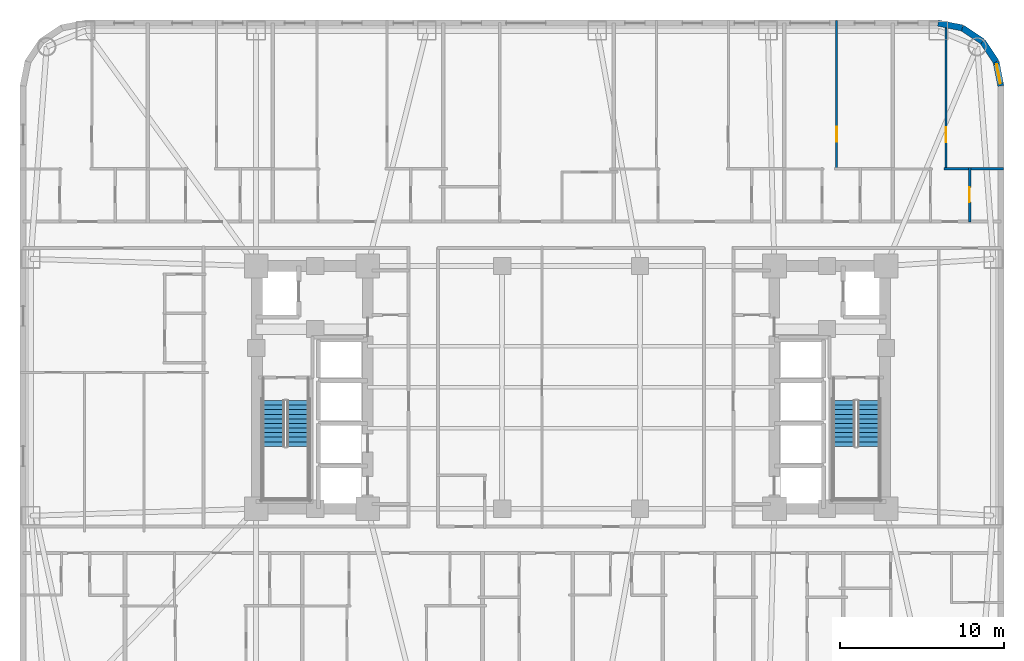
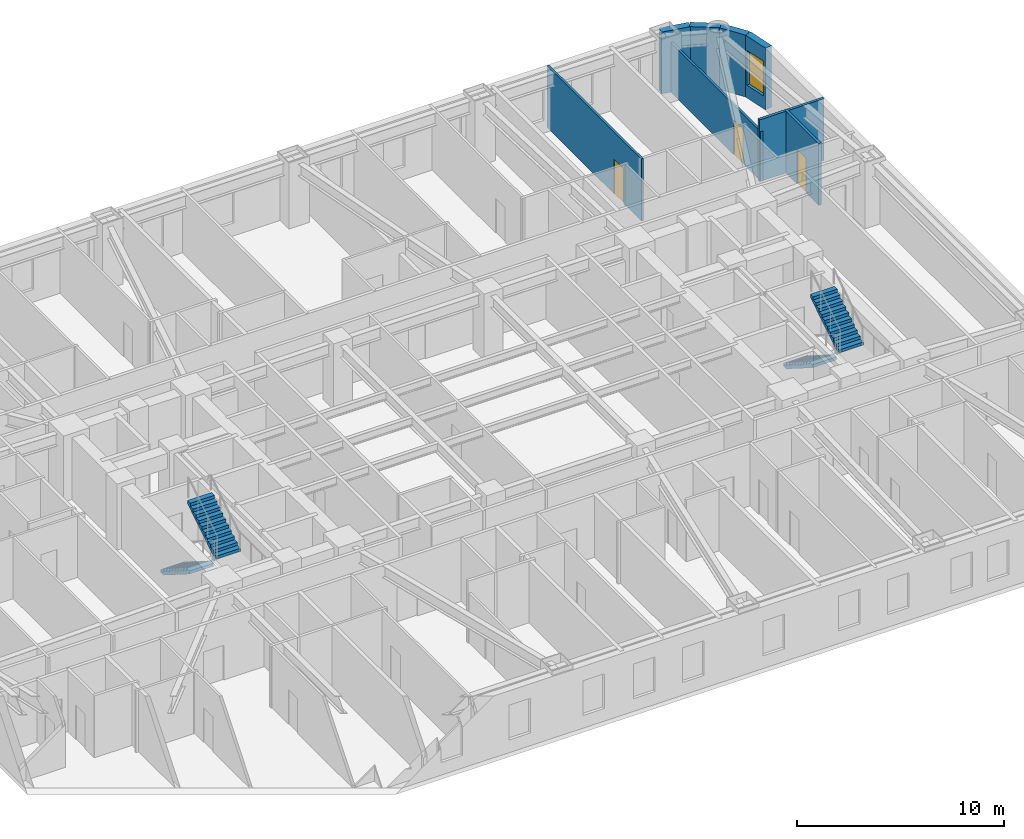
# One storey, part 9 of 11: 8 walls, 4 stair flights, 3 doors, 1 window, 4 openings, 2 elements without a shape of their own.
"""IFC4 building model written with IfcOpenShell, lengths in metres."""

from ifc_helpers import new_model, si_unit, direction, frame, frame_2d, origin, place, context, subcontext, project, spatial, polyline, rectangle, outline, extrude, material, layer, layer_set, type_object, element, fill, aggregate, save


model = new_model("IFC4")

# Units and contexts
model_context = context("Model", 3, precision=1e-05, world=origin(), true_north=direction((0.0, 1.0)))
body_context = subcontext(model_context, "Body", "Model", "MODEL_VIEW")
ifc_project = project(units=[si_unit("LENGTHUNIT", "METRE"), si_unit("AREAUNIT", "SQUARE_METRE"), si_unit("VOLUMEUNIT", "CUBIC_METRE"), si_unit("PLANEANGLEUNIT", "RADIAN"), si_unit("MASSUNIT", "GRAM", prefix="KILO")], contexts=[model_context])

# Site, building, storey
site_placement = place(None, origin())
site = spatial("IfcSite", under=ifc_project, at=site_placement, CompositionType="ELEMENT")
building_placement = place(site_placement, origin())
building = spatial("IfcBuilding", under=site, at=building_placement, Name="Voryun Gate Residences", CompositionType="ELEMENT")
storey_placement = place(building_placement, frame((0.0, 0.0, 37.699951171875)))
storey = spatial("IfcBuildingStorey", under=building, at=storey_placement, Name="L08", CompositionType="ELEMENT", Elevation=37.699951171875)

# Walls
ifc_material_1 = material(Name="Granite masonry", Category="masonry")
ifc_layer_1 = layer(ifc_material_1, 0.3798828125, Name="W_EXT_GRANITE_380")
ifc_layer_set_1 = layer_set([ifc_layer_1], Name="Granite masonry")
wall_type_1 = type_object("IfcWallType", Name="W_EXT_GRANITE_380", PredefinedType="ELEMENTEDWALL", material=ifc_layer_set_1)
wall_1_placement = place(storey_placement, frame((22.38134765625, 22.2099609375, 0.0), z_axis=(0.0, 0.0, 1.0), x_axis=(0.980786132421, -0.195086038585, 0.0)))
element("IfcWall", 1, at=wall_1_placement, inside=storey, type_object=wall_type_1, Name="Exterior wall WEXT-L08-12", PredefinedType="ELEMENTEDWALL", context=body_context, shape_type="SweptSolid", body=[
    extrude(rectangle(XDim=1.504150390625, YDim=0.3798828125, at=frame_2d((0.751953125, 0.0))), origin(), (0.0, 0.0, 1.0), 3.650146484375),
])
for number, where, z_axis, x_axis, name in (
    (2, (23.856689453125, 21.91650390625, 0.0), (0.0, 0.0, 1.0), (0.831392092774, -0.555686231674, 0.0), "Exterior wall WEXT-L08-13"),
    (3, (25.09130859375, 21.09130859375, 0.0), (0.0, 0.0, 1.0), (0.555686231674, -0.831392092774, 0.0), "Exterior wall WEXT-L08-14"),
):
    element("IfcWall", number, at=place(storey_placement, frame(where, z_axis=z_axis, x_axis=x_axis)), inside=storey, type_object=wall_type_1, Name=name, PredefinedType="ELEMENTEDWALL", context=body_context, shape_type="SweptSolid", body=[
        extrude(rectangle(XDim=1.485107421875, YDim=0.3798828125, at=frame_2d((0.74267578125, 0.0))), origin(), (0.0, 0.0, 1.0), 3.650146484375),
    ])

# Wall, opening, window
wall_2_placement = place(storey_placement, frame((25.91650390625, 19.856689453125, 0.0), z_axis=(0.0, 0.0, 1.0), x_axis=(0.195086038585, -0.980786132421, 0.0)))
wall_2 = element("IfcWall", 4, at=wall_2_placement, inside=storey, type_object=wall_type_1, Name="Exterior wall WEXT-L08-15", PredefinedType="ELEMENTEDWALL", context=body_context, shape_type="SweptSolid", body=[
    extrude(rectangle(XDim=1.504150390625, YDim=0.3798828125, at=frame_2d((0.751953125, 0.0))), origin(), (0.0, 0.0, 1.0), 3.650146484375),
])
opening_1_placement = place(wall_2_placement, frame((0.152099609375, 0.0, 0.75)))
opening_1 = element("IfcOpeningElement", 5, at=opening_1_placement, cuts=wall_2, Name="Opening WN6", PredefinedType="OPENING", context=body_context, shape_type="SweptSolid", body=[
    extrude(rectangle(XDim=1.199951171875, YDim=2.050048828125, at=frame_2d((0.60009765625, 1.02490234375))), frame((0.0, 0.199951171875, 0.0), z_axis=(0.0, -1.0, 0.0), x_axis=(1.0, 0.0, 0.0)), (0.0, 0.0, 1.0), 0.39990234375),
])
ifc_material_2 = material(Name="Laminated low-E glass", Category="glass")
window_type = type_object("IfcWindowType", Name="WN_POD_SLOT_1200", PartitioningType="SINGLE_PANEL", PredefinedType="WINDOW", material=ifc_material_2)
window_placement = place(opening_1_placement, origin())
window = element("IfcWindow", 6, at=window_placement, inside=storey, type_object=window_type, Name="Window WN-L08-DWFIX-14", OverallHeight=2.050048828125, OverallWidth=1.199951171875, PartitioningType="SINGLE_PANEL", PredefinedType="WINDOW", context=body_context, shape_type="SweptSolid", body=[
    extrude(rectangle(XDim=1.199951171875, YDim=2.050048828125, at=frame_2d((0.60009765625, 1.02490234375))), frame((0.0, 0.030029296875, 0.0), z_axis=(0.0, -1.0, 0.0), x_axis=(1.0, 0.0, 0.0)), (0.0, 0.0, 1.0), 0.06005859375),
])
fill(opening_1, window)

# Wall, opening, door
ifc_material_3 = material(Name="Gypsum acoustic partition")
ifc_layer_2 = layer(ifc_material_3, 0.125, Name="W_UNIT_PART_125")
ifc_layer_set_2 = layer_set([ifc_layer_2], Name="Gypsum acoustic partition")
wall_type_2 = type_object("IfcWallType", Name="W_UNIT_PART_125", PredefinedType="PARTITIONING", material=ifc_layer_set_2)
wall_3_placement = place(storey_placement, frame((16.198974609375, 13.239990234375, 0.0), z_axis=(0.0, 0.0, 1.0), x_axis=(0.0, 1.0, 0.0)))
wall_3 = element("IfcWall", 7, at=wall_3_placement, inside=storey, type_object=wall_type_2, Name="Partition wall WP-L08-N6-OVR", PredefinedType="PARTITIONING", context=body_context, shape_type="SweptSolid", body=[
    extrude(rectangle(XDim=9.1201171875, YDim=0.125, at=frame_2d((4.56005859375, 0.0))), origin(), (0.0, 0.0, 1.0), 3.650146484375),
])
opening_2_placement = place(wall_3_placement, frame((1.73876953125, 0.0, 0.0)))
opening_2 = element("IfcOpeningElement", 8, at=opening_2_placement, cuts=wall_3, Name="Opening D-INT-2", PredefinedType="OPENING", context=body_context, shape_type="SweptSolid", body=[
    extrude(rectangle(XDim=0.89990234375, YDim=2.050048828125, at=frame_2d((0.449951171875, 1.02490234375))), frame((0.0, 0.072509765625, 0.0), z_axis=(0.0, -1.0, 0.0), x_axis=(1.0, 0.0, 0.0)), (0.0, 0.0, 1.0), 0.14501953125),
])
ifc_material_4 = material(Name="Architectural oak veneer")
door_type = type_object("IfcDoorType", Name="DR_INT_BATH_900", OperationType="NOTDEFINED", PredefinedType="DOOR", material=ifc_material_4)
door_1_placement = place(opening_2_placement, origin())
door_1 = element("IfcDoor", 9, at=door_1_placement, inside=storey, type_object=door_type, Name="Door DR-L08-N6-DMB", OperationType="SINGLE_SWING_RIGHT", OverallHeight=2.050048828125, OverallWidth=0.89990234375, PredefinedType="DOOR", context=body_context, shape_type="SweptSolid", body=[
    extrude(rectangle(XDim=0.89990234375, YDim=2.050048828125, at=frame_2d((0.449951171875, 1.02490234375))), frame((0.0, 0.02490234375, 0.0), z_axis=(0.0, -1.0, 0.0), x_axis=(1.0, 0.0, 0.0)), (0.0, 0.0, 1.0), 0.050048828125),
])
fill(opening_2, door_1)

wall_4_placement = place(storey_placement, frame((22.867919921875, 13.239990234375, 0.0), z_axis=(0.0, 0.0, 1.0), x_axis=(0.0, 1.0, 0.0)))
wall_4 = element("IfcWall", 10, at=wall_4_placement, inside=storey, type_object=wall_type_2, Name="Partition wall WP-L08-N7-OVR", PredefinedType="PARTITIONING", context=body_context, shape_type="SweptSolid", body=[
    extrude(rectangle(XDim=9.026123046875, YDim=0.125, at=frame_2d((4.51318359375, 0.0))), origin(), (0.0, 0.0, 1.0), 2.93994140625),
])
opening_3_placement = place(wall_4_placement, frame((1.71630859375, 0.0, 0.0)))
opening_3 = element("IfcOpeningElement", 11, at=opening_3_placement, cuts=wall_4, Name="Opening D-INT-2", PredefinedType="OPENING", context=body_context, shape_type="SweptSolid", body=[
    extrude(rectangle(XDim=0.89990234375, YDim=2.050048828125, at=frame_2d((0.449951171875, 1.02490234375))), frame((0.0, 0.072509765625, 0.0), z_axis=(0.0, -1.0, 0.0), x_axis=(1.0, 0.0, 0.0)), (0.0, 0.0, 1.0), 0.14501953125),
])
door_2_placement = place(opening_3_placement, origin())
door_2 = element("IfcDoor", 12, at=door_2_placement, inside=storey, type_object=door_type, Name="Door DR-L08-N7-DMB", OperationType="SINGLE_SWING_RIGHT", OverallHeight=2.050048828125, OverallWidth=0.89990234375, PredefinedType="DOOR", context=body_context, shape_type="SweptSolid", body=[
    extrude(rectangle(XDim=0.89990234375, YDim=2.050048828125, at=frame_2d((0.449951171875, 1.02490234375))), frame((0.0, 0.02490234375, 0.0), z_axis=(0.0, -1.0, 0.0), x_axis=(1.0, 0.0, 0.0)), (0.0, 0.0, 1.0), 0.050048828125),
])
fill(opening_3, door_2)

# Wall
ifc_material_5 = material(Name="Gypsum moisture-resistant partition")
ifc_layer_3 = layer(ifc_material_5, 0.14990234375, Name="W_WET_PLUMB_150")
ifc_layer_set_3 = layer_set([ifc_layer_3], Name="Gypsum moisture-resistant partition")
wall_type_3 = type_object("IfcWallType", Name="W_WET_PLUMB_150", PredefinedType="PLUMBINGWALL", material=ifc_layer_set_3)
wall_5_placement = place(storey_placement, frame((22.748046875, 13.320068359375, 0.0), z_axis=(0.0, 0.0, 1.0), x_axis=(1.0, 0.0, 0.0)))
element("IfcWall", 13, at=wall_5_placement, inside=storey, type_object=wall_type_3, Name="Partition wall WP-L08-N7-HZB", PredefinedType="PLUMBINGWALL", context=body_context, shape_type="SweptSolid", body=[
    extrude(rectangle(XDim=3.612060546875, YDim=0.14990234375, at=frame_2d((1.80615234375, 0.0))), origin(), (0.0, 0.0, 1.0), 3.650146484375),
])

# Wall, opening, door
wall_6_placement = place(storey_placement, frame((24.298095703125, 10.080078125, 0.0), z_axis=(0.0, 0.0, 1.0), x_axis=(0.0, 1.0, 0.0)))
wall_6 = element("IfcWall", 14, at=wall_6_placement, inside=storey, type_object=wall_type_3, Name="Partition wall WP-L08-N7-IVB", PredefinedType="PLUMBINGWALL", context=body_context, shape_type="SweptSolid", body=[
    extrude(rectangle(XDim=3.31982421875, YDim=0.14990234375, at=frame_2d((1.659912109375, 0.0))), origin(), (0.0, 0.0, 1.0), 3.650146484375),
])
opening_4_placement = place(wall_6_placement, frame((1.2099609375, 0.0, 0.0)))
opening_4 = element("IfcOpeningElement", 15, at=opening_4_placement, cuts=wall_6, Name="Opening D-INT-2", PredefinedType="OPENING", context=body_context, shape_type="SweptSolid", body=[
    extrude(rectangle(XDim=0.89990234375, YDim=2.050048828125, at=frame_2d((0.449951171875, 1.02490234375))), frame((0.0, 0.0849609375, 0.0), z_axis=(0.0, -1.0, 0.0), x_axis=(1.0, 0.0, 0.0)), (0.0, 0.0, 1.0), 0.169921875),
])
door_3_placement = place(opening_4_placement, origin())
door_3 = element("IfcDoor", 16, at=door_3_placement, inside=storey, type_object=door_type, Name="Door DR-L08-N7-DB", OperationType="SINGLE_SWING_RIGHT", OverallHeight=2.050048828125, OverallWidth=0.89990234375, PredefinedType="DOOR", context=body_context, shape_type="SweptSolid", body=[
    extrude(rectangle(XDim=0.89990234375, YDim=2.050048828125, at=frame_2d((0.449951171875, 1.02490234375))), frame((0.0, 0.02490234375, 0.0), z_axis=(0.0, -1.0, 0.0), x_axis=(1.0, 0.0, 0.0)), (0.0, 0.0, 1.0), 0.050048828125),
])
fill(opening_4, door_3)

# Stair, stair flights
ifc_material_6 = material(Name="Concrete C40/50", Category="concrete")
stair_type = type_object("IfcStairType", Name="STR_CORE_DOGLEG_1350", PredefinedType="HALF_TURN_STAIR", material=ifc_material_6)
stair_1_placement = place(storey_placement, origin())
stair_1 = element("IfcStair", 17, at=stair_1_placement, inside=storey, type_object=stair_type, Name="L08 Special Escape Stair ST-W1", PredefinedType="HALF_TURN_STAIR")
ifc_material_7 = material(Name="Concrete C40/50", Category="concrete")
stair_flight_type = type_object("IfcStairFlightType", Name="FLT_CORE_1350", PredefinedType="STRAIGHT", material=ifc_material_7)
stair_flight_1_placement = place(storey_placement, frame((-18.14990234375, -0.800048828125, 0.0), z_axis=(0.0, 0.0, 1.0), x_axis=(0.0, -1.0, 0.0)))
stair_flight_1 = element("IfcStairFlight", 18, at=stair_flight_1_placement, type_object=stair_flight_type, Name="ST-W1 flight 1", NumberOfRisers=11, NumberOfTreads=10, PredefinedType="STRAIGHT", RiserHeight=0.177272727, TreadLength=0.28, context=body_context, shape_type="SweptSolid", body=[
    extrude(outline(polyline([(0.0, 0.0), (0.0, 0.17724609375), (0.280029296875, 0.17724609375), (0.280029296875, 0.3544921875), (0.56005859375, 0.3544921875), (0.56005859375, 0.53173828125), (0.840087890625, 0.53173828125), (0.840087890625, 0.708984375), (1.1201171875, 0.708984375), (1.1201171875, 0.886474609375), (1.39990234375, 0.886474609375), (1.39990234375, 1.063720703125), (1.679931640625, 1.063720703125), (1.679931640625, 1.240966796875), (1.9599609375, 1.240966796875), (1.9599609375, 1.418212890625), (2.239990234375, 1.418212890625), (2.239990234375, 1.595458984375), (2.52001953125, 1.595458984375), (2.52001953125, 1.772705078125), (2.800048828125, 1.772705078125), (2.800048828125, 1.949951171875), (2.800048828125, 1.59521484375), (0.2802734375, 0.0), (0.0, 0.0)])), frame((0.0, 0.675048828125, 0.0), z_axis=(0.0, -1.0, 0.0), x_axis=(1.0, 0.0, 0.0)), (0.0, 0.0, 1.0), 1.35009765625),
])
stair_flight_2_placement = place(storey_placement, frame((-16.64990234375, -3.60009765625, 1.949951171875), z_axis=(0.0, 0.0, 1.0), x_axis=(0.0, 1.0, 0.0)))
stair_flight_2 = element("IfcStairFlight", 19, at=stair_flight_2_placement, type_object=stair_flight_type, Name="ST-W1 flight 2", NumberOfRisers=11, NumberOfTreads=10, PredefinedType="STRAIGHT", RiserHeight=0.177272727, TreadLength=0.28, context=body_context, shape_type="SweptSolid", body=[
    extrude(outline(polyline([(0.0, 0.0), (0.0, 0.17724609375), (0.280029296875, 0.17724609375), (0.280029296875, 0.3544921875), (0.56005859375, 0.3544921875), (0.56005859375, 0.53173828125), (0.840087890625, 0.53173828125), (0.840087890625, 0.708984375), (1.1201171875, 0.708984375), (1.1201171875, 0.886474609375), (1.39990234375, 0.886474609375), (1.39990234375, 1.063720703125), (1.679931640625, 1.063720703125), (1.679931640625, 1.240966796875), (1.9599609375, 1.240966796875), (1.9599609375, 1.418212890625), (2.239990234375, 1.418212890625), (2.239990234375, 1.595458984375), (2.52001953125, 1.595458984375), (2.52001953125, 1.772705078125), (2.800048828125, 1.772705078125), (2.800048828125, 1.949951171875), (2.800048828125, 1.59521484375), (0.2802734375, 0.0), (0.0, 0.0)])), frame((0.0, 0.675048828125, 0.0), z_axis=(0.0, -1.0, 0.0), x_axis=(1.0, 0.0, 0.0)), (0.0, 0.0, 1.0), 1.35009765625),
])
aggregate(stair_1, [stair_flight_1, stair_flight_2])

stair_2_placement = place(storey_placement, origin())
stair_2 = element("IfcStair", 20, at=stair_2_placement, inside=storey, type_object=stair_type, Name="L08 Special Escape Stair ST-E1", PredefinedType="HALF_TURN_STAIR")
stair_flight_3_placement = place(storey_placement, frame((16.64990234375, -0.800048828125, 0.0), z_axis=(0.0, 0.0, 1.0), x_axis=(0.0, -1.0, 0.0)))
stair_flight_3 = element("IfcStairFlight", 21, at=stair_flight_3_placement, type_object=stair_flight_type, Name="ST-E1 flight 1", NumberOfRisers=11, NumberOfTreads=10, PredefinedType="STRAIGHT", RiserHeight=0.177272727, TreadLength=0.28, context=body_context, shape_type="SweptSolid", body=[
    extrude(outline(polyline([(0.0, 0.0), (0.0, 0.17724609375), (0.280029296875, 0.17724609375), (0.280029296875, 0.3544921875), (0.56005859375, 0.3544921875), (0.56005859375, 0.53173828125), (0.840087890625, 0.53173828125), (0.840087890625, 0.708984375), (1.1201171875, 0.708984375), (1.1201171875, 0.886474609375), (1.39990234375, 0.886474609375), (1.39990234375, 1.063720703125), (1.679931640625, 1.063720703125), (1.679931640625, 1.240966796875), (1.9599609375, 1.240966796875), (1.9599609375, 1.418212890625), (2.239990234375, 1.418212890625), (2.239990234375, 1.595458984375), (2.52001953125, 1.595458984375), (2.52001953125, 1.772705078125), (2.800048828125, 1.772705078125), (2.800048828125, 1.949951171875), (2.800048828125, 1.59521484375), (0.2802734375, 0.0), (0.0, 0.0)])), frame((0.0, 0.675048828125, 0.0), z_axis=(0.0, -1.0, 0.0), x_axis=(1.0, 0.0, 0.0)), (0.0, 0.0, 1.0), 1.35009765625),
])
stair_flight_4_placement = place(storey_placement, frame((18.14990234375, -3.60009765625, 1.949951171875), z_axis=(0.0, 0.0, 1.0), x_axis=(0.0, 1.0, 0.0)))
stair_flight_4 = element("IfcStairFlight", 22, at=stair_flight_4_placement, type_object=stair_flight_type, Name="ST-E1 flight 2", NumberOfRisers=11, NumberOfTreads=10, PredefinedType="STRAIGHT", RiserHeight=0.177272727, TreadLength=0.28, context=body_context, shape_type="SweptSolid", body=[
    extrude(outline(polyline([(0.0, 0.0), (0.0, 0.17724609375), (0.280029296875, 0.17724609375), (0.280029296875, 0.3544921875), (0.56005859375, 0.3544921875), (0.56005859375, 0.53173828125), (0.840087890625, 0.53173828125), (0.840087890625, 0.708984375), (1.1201171875, 0.708984375), (1.1201171875, 0.886474609375), (1.39990234375, 0.886474609375), (1.39990234375, 1.063720703125), (1.679931640625, 1.063720703125), (1.679931640625, 1.240966796875), (1.9599609375, 1.240966796875), (1.9599609375, 1.418212890625), (2.239990234375, 1.418212890625), (2.239990234375, 1.595458984375), (2.52001953125, 1.595458984375), (2.52001953125, 1.772705078125), (2.800048828125, 1.772705078125), (2.800048828125, 1.949951171875), (2.800048828125, 1.59521484375), (0.2802734375, 0.0), (0.0, 0.0)])), frame((0.0, 0.675048828125, 0.0), z_axis=(0.0, -1.0, 0.0), x_axis=(1.0, 0.0, 0.0)), (0.0, 0.0, 1.0), 1.35009765625),
])
aggregate(stair_2, [stair_flight_3, stair_flight_4])

save(model, "model.ifc")
